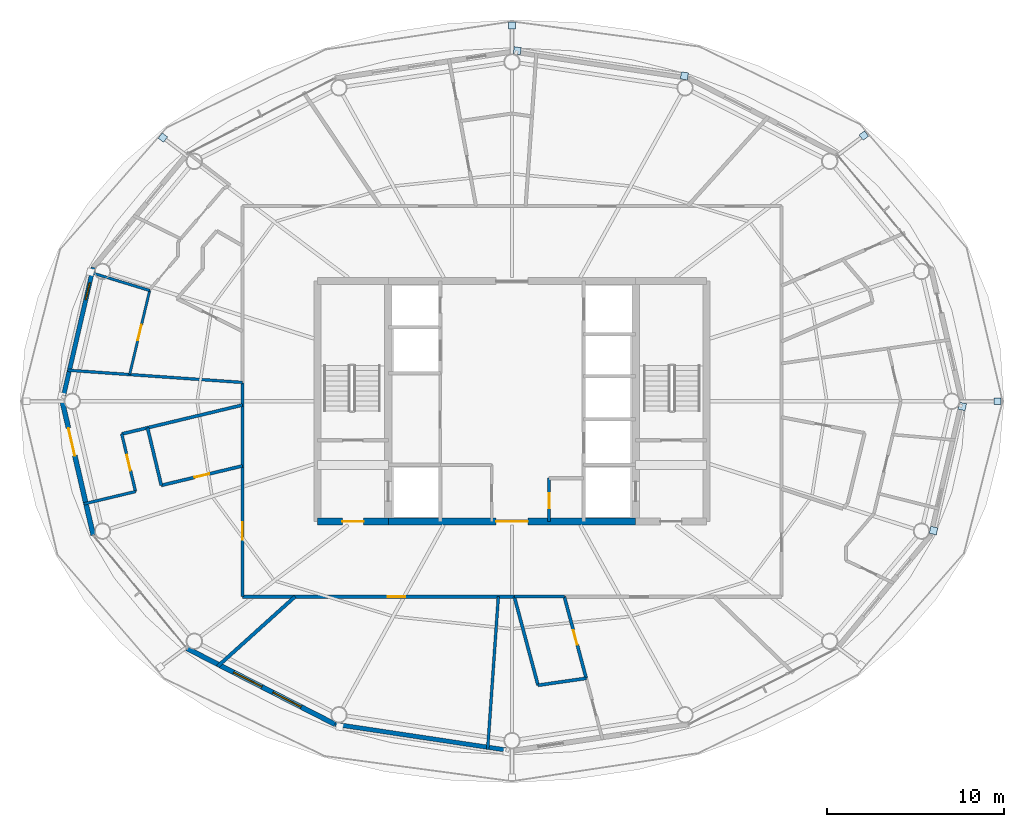
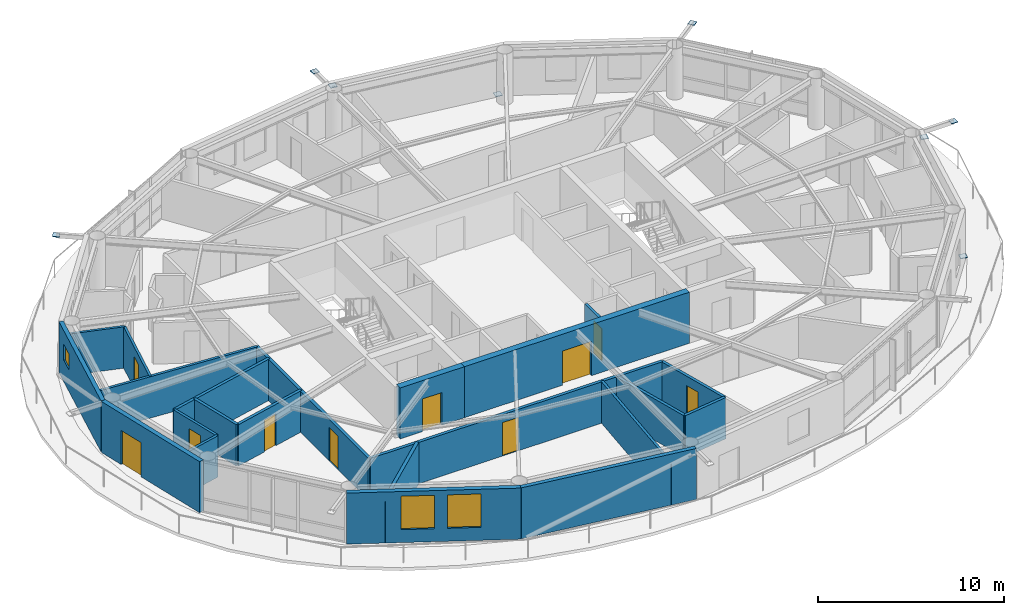
# One storey, part 15 of 22: 23 walls, 10 doors, 8 plates, 3 windows, 13 openings.
"""IFC4 building model written with IfcOpenShell, lengths in metres."""

from ifc_helpers import new_model, si_unit, direction, frame, frame_2d, origin, origin_2d, place, context, subcontext, project, spatial, rectangle, extrude, material, layer, layer_set, type_object, element, fill, save


model = new_model("IFC4")

# Units and contexts
model_context = context("Model", 3, precision=1e-05, world=origin(), true_north=direction((0.0, 1.0)))
body_context = subcontext(model_context, "Body", "Model", "MODEL_VIEW")
ifc_project = project(units=[si_unit("LENGTHUNIT", "METRE"), si_unit("AREAUNIT", "SQUARE_METRE"), si_unit("VOLUMEUNIT", "CUBIC_METRE"), si_unit("PLANEANGLEUNIT", "RADIAN"), si_unit("MASSUNIT", "GRAM", prefix="KILO")], contexts=[model_context])

# Site, building, storey
site_placement = place(None, origin())
site = spatial("IfcSite", under=ifc_project, at=site_placement, CompositionType="ELEMENT")
building_placement = place(site_placement, origin())
building = spatial("IfcBuilding", under=site, at=building_placement, Name="Sarneth Arch Tower", CompositionType="ELEMENT")
storey_placement = place(building_placement, frame((0.0, 0.0, 213.60009765625)))
storey = spatial("IfcBuildingStorey", under=building, at=storey_placement, Name="L54", CompositionType="ELEMENT", Elevation=213.60009765625)

# Plates
ifc_material_1 = material(Name="Steel S355", Category="steel")
ifc_layer_1 = layer(ifc_material_1, 0.035888671875)
ifc_layer_set_1 = layer_set([ifc_layer_1], Name="Steel S355")
plate_type = type_object("IfcPlateType", Name="PLT-GUSSET-30", PredefinedType="SHEET", material=ifc_layer_set_1)
for number, where, z_axis, x_axis, name in (
    (1, (75.466552734375, 42.0, 3.18212890625), (0.0, 0.0, 1.0), (1.0, 0.0, 0.0), "Steel end cap plate GP-1"),
    (2, (67.905517578125, 57.034423828125, 3.18212890625), (0.0, 0.0, 1.0), (0.798004853043, 0.602651022168, 0.0), "Steel end cap plate GP-1"),
):
    element("IfcPlate", number, at=place(storey_placement, frame(where, z_axis=z_axis, x_axis=x_axis)), inside=storey, type_object=plate_type, Name=name, PredefinedType="SHEET", context=body_context, shape_type="SweptSolid", body=[
        extrude(rectangle(XDim=0.3798828125, YDim=0.3798828125, at=origin_2d()), origin(), (0.0, 0.0, 1.0), 0.035888671875),
    ])
for number, where, z_axis, x_axis, name in (
    (3, (57.754150390625, 60.411376953125, 0.001953125), (0.0, 0.0, 1.0), (-0.988860535448, 0.148845024885, 0.0), "Steel end cap plate GP-1"),
    (4, (48.296630859375, 61.83544921875, 3.0185546875), (0.0, 0.0, 1.0), (-0.988860535448, 0.148845024885, 0.0), "Steel end cap plate GP-1"),
):
    element("IfcPlate", number, at=place(storey_placement, frame(where, z_axis=z_axis, x_axis=x_axis)), inside=storey, type_object=plate_type, Name=name, PredefinedType="SHEET", context=body_context, shape_type="SweptSolid", body=[
        extrude(rectangle(XDim=0.404052734375, YDim=0.404052734375, at=origin_2d()), origin(), (0.0, 0.0, 1.0), 0.035888671875),
    ])
for number, where, z_axis, x_axis, name in (
    (5, (48.0, 63.2666015625, 3.18212890625), (0.0, 0.0, 1.0), (0.0, 1.0, 0.0), "Steel end cap plate GP-1"),
    (6, (28.24462890625, 56.921142578125, 3.18212890625), (0.0, 0.0, 1.0), (-0.798004853043, 0.602651022168, 0.0), "Steel end cap plate GP-1"),
):
    element("IfcPlate", number, at=place(storey_placement, frame(where, z_axis=z_axis, x_axis=x_axis)), inside=storey, type_object=plate_type, Name=name, PredefinedType="SHEET", context=body_context, shape_type="SweptSolid", body=[
        extrude(rectangle(XDim=0.3798828125, YDim=0.3798828125, at=origin_2d()), origin(), (0.0, 0.0, 1.0), 0.035888671875),
    ])
for number, where, z_axis, x_axis, name in (
    (7, (71.851806640625, 34.6845703125, 0.001953125), (0.0, 0.0, 1.0), (0.225461202458, 0.974252147129, 0.0), "Steel end cap plate GP-1"),
    (8, (73.4765625, 41.707763671875, 3.0185546875), (0.0, 0.0, 1.0), (0.225461202458, 0.974252147129, 0.0), "Steel end cap plate GP-1"),
):
    element("IfcPlate", number, at=place(storey_placement, frame(where, z_axis=z_axis, x_axis=x_axis)), inside=storey, type_object=plate_type, Name=name, PredefinedType="SHEET", context=body_context, shape_type="SweptSolid", body=[
        extrude(rectangle(XDim=0.404052734375, YDim=0.404052734375, at=origin_2d()), origin(), (0.0, 0.0, 1.0), 0.035888671875),
    ])

# Wall, opening, door
ifc_material_2 = material(Name="Concrete C50/60", Category="concrete")
ifc_layer_2 = layer(ifc_material_2, 0.39990234375)
ifc_layer_set_2 = layer_set([ifc_layer_2], Name="Concrete C50/60")
wall_type_1 = type_object("IfcWallType", Name="WALL-CORE-400", PredefinedType="SHEAR", material=ifc_layer_set_2)
wall_1_placement = place(storey_placement, frame((37.0, 35.199951171875, 0.0), z_axis=(0.0, 0.0, 1.0), x_axis=(1.0, 0.0, 0.0)))
wall_1 = element("IfcWall", 9, at=wall_1_placement, inside=storey, type_object=wall_type_1, Name="L54 Core shear wall S-W", PredefinedType="SHEAR", context=body_context, shape_type="SweptSolid", body=[
    extrude(rectangle(XDim=4.0, YDim=0.39990234375, at=frame_2d((2.0, 0.0))), origin(), (0.0, 0.0, 1.0), 3.35986328125),
])
opening_1_placement = place(wall_1_placement, frame((1.39990234375, 0.0, 0.0)))
opening_1 = element("IfcOpeningElement", 10, at=opening_1_placement, cuts=wall_1, Name="Opening FD-02", PredefinedType="OPENING", context=body_context, shape_type="SweptSolid", body=[
    extrude(rectangle(XDim=1.199951171875, YDim=2.14990234375, at=frame_2d((0.60009765625, 1.074951171875))), frame((0.0, 0.2099609375, 0.0), z_axis=(0.0, -1.0, 0.0), x_axis=(1.0, 0.0, 0.0)), (0.0, 0.0, 1.0), 0.419921875),
])
ifc_material_3 = material(Name="Galvanised Steel S275 fire door set", Category="steel")
door_type_1 = type_object("IfcDoorType", Name="DR-FD90-1200", OperationType="SINGLE_SWING_LEFT", PredefinedType="DOOR", material=ifc_material_3)
door_1_placement = place(opening_1_placement, origin())
door_1 = element("IfcDoor", 11, at=door_1_placement, inside=storey, type_object=door_type_1, Name="L54 Firefighting lobby 1 exit door", OperationType="SINGLE_SWING_LEFT", OverallHeight=2.14990234375, OverallWidth=1.199951171875, PredefinedType="DOOR", context=body_context, shape_type="SweptSolid", body=[
    extrude(rectangle(XDim=1.199951171875, YDim=2.14990234375, at=frame_2d((0.60009765625, 1.074951171875))), frame((0.0, 0.02490234375, 0.0), z_axis=(0.0, -1.0, 0.0), x_axis=(1.0, 0.0, 0.0)), (0.0, 0.0, 1.0), 0.050048828125),
])
fill(opening_1, door_1)

wall_2_placement = place(storey_placement, frame((41.0, 35.199951171875, 0.0), z_axis=(0.0, 0.0, 1.0), x_axis=(1.0, 0.0, 0.0)))
wall_2 = element("IfcWall", 12, at=wall_2_placement, inside=storey, type_object=wall_type_1, Name="L54 Core shear wall S-M", PredefinedType="SHEAR", context=body_context, shape_type="SweptSolid", body=[
    extrude(rectangle(XDim=14.0, YDim=0.39990234375, at=frame_2d((7.0, 0.0))), origin(), (0.0, 0.0, 1.0), 3.35986328125),
])
opening_2_placement = place(wall_2_placement, frame((6.10009765625, 0.0, 0.0)))
opening_2 = element("IfcOpeningElement", 13, at=opening_2_placement, cuts=wall_2, Name="Opening FD-01", PredefinedType="OPENING", context=body_context, shape_type="SweptSolid", body=[
    extrude(rectangle(XDim=1.800048828125, YDim=2.25, at=frame_2d((0.89990234375, 1.125))), frame((0.0, 0.2099609375, 0.0), z_axis=(0.0, -1.0, 0.0), x_axis=(1.0, 0.0, 0.0)), (0.0, 0.0, 1.0), 0.419921875),
])
ifc_material_4 = material(Name="Galvanised Steel S275 fire door set", Category="steel")
door_type_2 = type_object("IfcDoorType", Name="DR-FD90-1800", OperationType="DOUBLE_DOOR_SINGLE_SWING", PredefinedType="DOOR", material=ifc_material_4)
door_2_placement = place(opening_2_placement, origin())
door_2 = element("IfcDoor", 14, at=door_2_placement, inside=storey, type_object=door_type_2, Name="L54 Central lift lobby south door", OperationType="DOUBLE_DOOR_SINGLE_SWING", OverallHeight=2.25, OverallWidth=1.800048828125, PredefinedType="DOOR", context=body_context, shape_type="SweptSolid", body=[
    extrude(rectangle(XDim=1.800048828125, YDim=2.25, at=frame_2d((0.89990234375, 1.125))), frame((0.0, 0.02490234375, 0.0), z_axis=(0.0, -1.0, 0.0), x_axis=(1.0, 0.0, 0.0)), (0.0, 0.0, 1.0), 0.050048828125),
])
fill(opening_2, door_2)

ifc_material_5 = material(Name="Double steel-stud corridor fire wall", Category="steel")
ifc_layer_3 = layer(ifc_material_5, 0.18994140625)
ifc_layer_set_3 = layer_set([ifc_layer_3], Name="Double steel-stud corridor fire wall")
wall_type_2 = type_object("IfcWallType", Name="WALL-CORR-190", PredefinedType="PARTITIONING", material=ifc_layer_set_3)
wall_3_placement = place(storey_placement, frame((48.162353515625, 30.949951171875, 0.0), z_axis=(0.0, 0.0, 1.0), x_axis=(-1.0, 0.0, 0.0)))
wall_3 = element("IfcWall", 15, at=wall_3_placement, inside=storey, type_object=wall_type_2, Name="L54 Interior partition W-L54-TP-016", PredefinedType="PARTITIONING", context=body_context, shape_type="SweptSolid", body=[
    extrude(rectangle(XDim=15.412353515625, YDim=0.18994140625, at=frame_2d((7.7060546875, 0.0))), origin(), (0.0, 0.0, 1.0), 2.719970703125),
])
opening_3_placement = place(wall_3_placement, frame((6.192626953125, 0.0, 0.0)))
opening_3 = element("IfcOpeningElement", 16, at=opening_3_placement, cuts=wall_3, Name="Opening FD-08", PredefinedType="OPENING", context=body_context, shape_type="SweptSolid", body=[
    extrude(rectangle(XDim=1.0, YDim=2.199951171875, at=frame_2d((0.5, 1.10009765625))), frame((0.0, 0.10498046875, 0.0), z_axis=(0.0, -1.0, 0.0), x_axis=(1.0, 0.0, 0.0)), (0.0, 0.0, 1.0), 0.2099609375),
])
ifc_material_6 = material(Name="Hardwood timber acoustic fire door", Category="wood")
door_type_3 = type_object("IfcDoorType", Name="DR-FD60-1000", OperationType="SINGLE_SWING_LEFT", PredefinedType="DOOR", material=ifc_material_6)
door_3_placement = place(opening_3_placement, origin())
door_3 = element("IfcDoor", 17, at=door_3_placement, inside=storey, type_object=door_type_3, Name="L54 Interior door DR-L54-RAMN-06", OperationType="SINGLE_SWING_RIGHT", OverallHeight=2.199951171875, OverallWidth=1.0, PredefinedType="DOOR", context=body_context, shape_type="SweptSolid", body=[
    extrude(rectangle(XDim=1.0, YDim=2.199951171875, at=frame_2d((0.5, 1.10009765625))), frame((0.0, 0.02490234375, 0.0), z_axis=(0.0, -1.0, 0.0), x_axis=(1.0, 0.0, 0.0)), (0.0, 0.0, 1.0), 0.050048828125),
])
fill(opening_3, door_3)

wall_4_placement = place(storey_placement, frame((32.75, 30.949951171875, 0.0), z_axis=(0.0, 0.0, 1.0), x_axis=(0.0, 1.0, 0.0)))
wall_4 = element("IfcWall", 18, at=wall_4_placement, inside=storey, type_object=wall_type_2, Name="L54 Interior partition W-L54-TP-013", PredefinedType="PARTITIONING", context=body_context, shape_type="SweptSolid", body=[
    extrude(rectangle(XDim=12.1484375, YDim=0.18994140625, at=frame_2d((6.07421875, 0.0))), origin(), (0.0, 0.0, 1.0), 2.719970703125),
])
opening_4_placement = place(wall_4_placement, frame((3.213623046875, 0.0, 0.0)))
opening_4 = element("IfcOpeningElement", 19, at=opening_4_placement, cuts=wall_4, Name="Opening FD-08", PredefinedType="OPENING", context=body_context, shape_type="SweptSolid", body=[
    extrude(rectangle(XDim=1.0, YDim=2.199951171875, at=frame_2d((0.5, 1.10009765625))), frame((0.0, 0.10498046875, 0.0), z_axis=(0.0, -1.0, 0.0), x_axis=(1.0, 0.0, 0.0)), (0.0, 0.0, 1.0), 0.2099609375),
])
door_4_placement = place(opening_4_placement, origin())
door_4 = element("IfcDoor", 20, at=door_4_placement, inside=storey, type_object=door_type_3, Name="L54 Interior door DR-L54-U5-ENT", OperationType="SINGLE_SWING_RIGHT", OverallHeight=2.199951171875, OverallWidth=1.0, PredefinedType="DOOR", context=body_context, shape_type="SweptSolid", body=[
    extrude(rectangle(XDim=1.0, YDim=2.199951171875, at=frame_2d((0.5, 1.10009765625))), frame((0.0, 0.02490234375, 0.0), z_axis=(0.0, -1.0, 0.0), x_axis=(1.0, 0.0, 0.0)), (0.0, 0.0, 1.0), 0.050048828125),
])
fill(opening_4, door_4)

# Wall, opening, window
ifc_material_7 = material(Name="Extruded terracotta rainscreen on Concrete C40/50 backing", Category="masonry")
ifc_layer_4 = layer(ifc_material_7, 0.25)
ifc_layer_set_4 = layer_set([ifc_layer_4], Name="Extruded terracotta rainscreen on Concrete C40/50 backing")
wall_type_3 = type_object("IfcWallType", Name="WALL-EXT-SPAND-250", PredefinedType="SOLIDWALL", material=ifc_layer_set_4)
wall_5_placement = place(storey_placement, frame((24.30615234375, 49.569580078125, 0.0), z_axis=(0.0, 0.0, 1.0), x_axis=(-0.225635078214, -0.974211892495, 0.0)))
wall_5 = element("IfcWall", 21, at=wall_5_placement, inside=storey, type_object=wall_type_3, Name="L54 Terracotta perimeter wall 08", PredefinedType="SOLIDWALL", context=body_context, shape_type="SweptSolid", body=[
    extrude(rectangle(XDim=7.77001953125, YDim=0.25, at=frame_2d((3.885009765625, 0.0))), origin(), (0.0, 0.0, 1.0), 3.35986328125),
])
opening_5_placement = place(wall_5_placement, frame((0.877685546875, 0.0, 1.419921875)))
opening_5 = element("IfcOpeningElement", 22, at=opening_5_placement, cuts=wall_5, Name="Opening W-14", PredefinedType="OPENING", context=body_context, shape_type="SweptSolid", body=[
    extrude(rectangle(XDim=1.0, YDim=1.050048828125, at=frame_2d((0.5, 0.52490234375))), frame((0.0, 0.135009765625, 0.0), z_axis=(0.0, -1.0, 0.0), x_axis=(1.0, 0.0, 0.0)), (0.0, 0.0, 1.0), 0.27001953125),
])
ifc_material_8 = material(Name="Thermally broken Aluminium 6063-T6 and low-e laminated IGU", Category="aluminium")
window_type_1 = type_object("IfcWindowType", Name="WIN-TWR-1000x1050", PartitioningType="SINGLE_PANEL", PredefinedType="WINDOW", material=ifc_material_8)
window_1_placement = place(opening_5_placement, origin())
window_1 = element("IfcWindow", 23, at=window_1_placement, inside=storey, type_object=window_type_1, Name="L54 Dwelling bedroom window 01", OverallHeight=1.050048828125, OverallWidth=1.0, PartitioningType="SINGLE_PANEL", PredefinedType="WINDOW", context=body_context, shape_type="SweptSolid", body=[
    extrude(rectangle(XDim=1.0, YDim=1.050048828125, at=frame_2d((0.5, 0.52490234375))), frame((0.0, 0.030029296875, 0.0), z_axis=(0.0, -1.0, 0.0), x_axis=(1.0, 0.0, 0.0)), (0.0, 0.0, 1.0), 0.06005859375),
])
fill(opening_5, window_1)

# Wall
wall_6_placement = place(storey_placement, frame((37.9873046875, 23.7255859375, 0.0), z_axis=(0.0, 0.0, 1.0), x_axis=(0.988882522213, -0.148698881169, 0.0)))
element("IfcWall", 24, at=wall_6_placement, inside=storey, type_object=wall_type_3, Name="L54 Terracotta perimeter wall 12", PredefinedType="SOLIDWALL", context=body_context, shape_type="SweptSolid", body=[
    extrude(rectangle(XDim=10.125244140625, YDim=0.25, at=frame_2d((5.0625, 0.0))), origin(), (0.0, 0.0, 1.0), 3.35986328125),
])

# Wall, opening, door
ifc_material_9 = material(Name="Extruded terracotta rainscreen on Concrete C40/50 backing", Category="masonry")
ifc_layer_5 = layer(ifc_material_9, 0.280029296875)
ifc_layer_set_5 = layer_set([ifc_layer_5], Name="Extruded terracotta rainscreen on Concrete C40/50 backing")
wall_type_4 = type_object("IfcWallType", Name="WALL-EXT-TERRA-280", PredefinedType="SOLIDWALL", material=ifc_layer_set_5)
wall_7_placement = place(storey_placement, frame((22.552978515625, 42.0, 0.0), z_axis=(0.0, 0.0, 1.0), x_axis=(0.225635078214, -0.974211892495, 0.0)))
wall_7 = element("IfcWall", 25, at=wall_7_placement, inside=storey, type_object=wall_type_4, Name="L54 Terracotta perimeter wall 09", PredefinedType="SOLIDWALL", context=body_context, shape_type="SweptSolid", body=[
    extrude(rectangle(XDim=7.77001953125, YDim=0.280029296875, at=frame_2d((3.885009765625, 0.0))), origin(), (0.0, 0.0, 1.0), 3.35986328125),
])
opening_6_placement = place(wall_7_placement, frame((1.55712890625, 0.0, 0.0)))
opening_6 = element("IfcOpeningElement", 26, at=opening_6_placement, cuts=wall_7, Name="Opening BD-1", PredefinedType="OPENING", context=body_context, shape_type="SweptSolid", body=[
    extrude(rectangle(XDim=1.60009765625, YDim=2.25, at=frame_2d((0.800048828125, 1.125))), frame((0.0, 0.14990234375, 0.0), z_axis=(0.0, -1.0, 0.0), x_axis=(1.0, 0.0, 0.0)), (0.0, 0.0, 1.0), 0.300048828125),
])
ifc_material_10 = material(Name="Thermally broken Aluminium 6063-T6 and laminated safety glass", Category="aluminium")
door_type_4 = type_object("IfcDoorType", Name="DR-BALC-GLZ-1600", OperationType="DOUBLE_DOOR_SINGLE_SWING", PredefinedType="DOOR", material=ifc_material_10)
door_5_placement = place(opening_6_placement, origin())
door_5 = element("IfcDoor", 27, at=door_5_placement, inside=storey, type_object=door_type_4, Name="L54 Balcony glazed door 09", OperationType="DOUBLE_DOOR_SINGLE_SWING", OverallHeight=2.25, OverallWidth=1.60009765625, PredefinedType="DOOR", context=body_context, shape_type="SweptSolid", body=[
    extrude(rectangle(XDim=1.60009765625, YDim=2.25, at=frame_2d((0.800048828125, 1.125))), frame((0.0, 0.02490234375, 0.0), z_axis=(0.0, -1.0, 0.0), x_axis=(1.0, 0.0, 0.0)), (0.0, 0.0, 1.0), 0.050048828125),
])
fill(opening_6, door_5)

# Wall, openings, windows
wall_8_placement = place(storey_placement, frame((29.617431640625, 28.013427734375, 0.0), z_axis=(0.0, 0.0, 1.0), x_axis=(0.890007394051, -0.455946091699, 0.0)))
wall_8 = element("IfcWall", 28, at=wall_8_placement, inside=storey, type_object=wall_type_4, Name="L54 Terracotta perimeter wall 11", PredefinedType="SOLIDWALL", context=body_context, shape_type="SweptSolid", body=[
    extrude(rectangle(XDim=9.404296875, YDim=0.280029296875, at=frame_2d((4.7021484375, 0.0))), origin(), (0.0, 0.0, 1.0), 3.35986328125),
])
opening_7_placement = place(wall_8_placement, frame((2.95068359375, 0.0, 0.85009765625)))
opening_7 = element("IfcOpeningElement", 29, at=opening_7_placement, cuts=wall_8, Name="Opening W-04", PredefinedType="OPENING", context=body_context, shape_type="SweptSolid", body=[
    extrude(rectangle(XDim=1.800048828125, YDim=2.199951171875, at=frame_2d((0.89990234375, 1.10009765625))), frame((0.0, 0.14990234375, 0.0), z_axis=(0.0, -1.0, 0.0), x_axis=(1.0, 0.0, 0.0)), (0.0, 0.0, 1.0), 0.300048828125),
])
opening_8_placement = place(wall_8_placement, frame((5.4541015625, 0.0, 0.85009765625)))
opening_8 = element("IfcOpeningElement", 30, at=opening_8_placement, cuts=wall_8, Name="Opening W-04", PredefinedType="OPENING", context=body_context, shape_type="SweptSolid", body=[
    extrude(rectangle(XDim=1.800048828125, YDim=2.199951171875, at=frame_2d((0.89990234375, 1.10009765625))), frame((0.0, 0.14990234375, 0.0), z_axis=(0.0, -1.0, 0.0), x_axis=(1.0, 0.0, 0.0)), (0.0, 0.0, 1.0), 0.300048828125),
])
ifc_material_11 = material(Name="Thermally broken Aluminium 6063-T6 and low-e laminated IGU", Category="aluminium")
window_type_2 = type_object("IfcWindowType", Name="WIN-TWR-1800x2200", PartitioningType="DOUBLE_PANEL_VERTICAL", PredefinedType="WINDOW", material=ifc_material_11)
window_2_placement = place(opening_7_placement, origin())
window_2 = element("IfcWindow", 31, at=window_2_placement, inside=storey, type_object=window_type_2, Name="L54 Exterior window 11A", OverallHeight=2.199951171875, OverallWidth=1.800048828125, PartitioningType="SINGLE_PANEL", PredefinedType="WINDOW", context=body_context, shape_type="SweptSolid", body=[
    extrude(rectangle(XDim=1.800048828125, YDim=2.199951171875, at=frame_2d((0.89990234375, 1.10009765625))), frame((0.0, 0.030029296875, 0.0), z_axis=(0.0, -1.0, 0.0), x_axis=(1.0, 0.0, 0.0)), (0.0, 0.0, 1.0), 0.06005859375),
])
fill(opening_7, window_2)
window_3_placement = place(opening_8_placement, origin())
window_3 = element("IfcWindow", 32, at=window_3_placement, inside=storey, type_object=window_type_2, Name="L54 Exterior window 11B", OverallHeight=2.199951171875, OverallWidth=1.800048828125, PartitioningType="SINGLE_PANEL", PredefinedType="WINDOW", context=body_context, shape_type="SweptSolid", body=[
    extrude(rectangle(XDim=1.800048828125, YDim=2.199951171875, at=frame_2d((0.89990234375, 1.10009765625))), frame((0.0, 0.030029296875, 0.0), z_axis=(0.0, -1.0, 0.0), x_axis=(1.0, 0.0, 0.0)), (0.0, 0.0, 1.0), 0.06005859375),
])
fill(opening_8, window_3)

# Wall, opening, door
ifc_material_12 = material(Name="Apartment internal stud partition", Category="gypsum")
ifc_layer_6 = layer(ifc_material_12, 0.139892578125)
ifc_layer_set_6 = layer_set([ifc_layer_6], Name="Apartment internal stud partition")
wall_type_5 = type_object("IfcWallType", Name="WALL-PART-140", PredefinedType="PARTITIONING", material=ifc_layer_set_6)
wall_9_placement = place(storey_placement, frame((27.50048828125, 48.267333984375, 0.0), z_axis=(0.0, 0.0, 1.0), x_axis=(-0.232297954947, -0.972644673109, 0.0)))
wall_9 = element("IfcWall", 33, at=wall_9_placement, inside=storey, type_object=wall_type_5, Name="L54 Interior partition W-L54-TP-050", PredefinedType="PARTITIONING", context=body_context, shape_type="SweptSolid", body=[
    extrude(rectangle(XDim=4.88818359375, YDim=0.139892578125, at=frame_2d((2.444091796875, 0.0))), origin(), (0.0, 0.0, 1.0), 2.719970703125),
])
opening_9_placement = place(wall_9_placement, frame((1.994140625, 0.0, 0.0)))
opening_9 = element("IfcOpeningElement", 34, at=opening_9_placement, cuts=wall_9, Name="Opening ID-01", PredefinedType="OPENING", context=body_context, shape_type="SweptSolid", body=[
    extrude(rectangle(XDim=0.89990234375, YDim=2.10009765625, at=frame_2d((0.449951171875, 1.050048828125))), frame((0.0, 0.079833984375, 0.0), z_axis=(0.0, -1.0, 0.0), x_axis=(1.0, 0.0, 0.0)), (0.0, 0.0, 1.0), 0.159912109375),
])
ifc_material_13 = material(Name="Engineered hardwood flush door", Category="wood")
door_type_5 = type_object("IfcDoorType", Name="DR-INT-900", OperationType="SINGLE_SWING_LEFT", PredefinedType="DOOR", material=ifc_material_13)
door_6_placement = place(opening_9_placement, origin())
door_6 = element("IfcDoor", 35, at=door_6_placement, inside=storey, type_object=door_type_5, Name="L54 Interior door DR-L54-U4-BED2", OperationType="SINGLE_SWING_RIGHT", OverallHeight=2.10009765625, OverallWidth=0.89990234375, PredefinedType="DOOR", context=body_context, shape_type="SweptSolid", body=[
    extrude(rectangle(XDim=0.89990234375, YDim=2.10009765625, at=frame_2d((0.449951171875, 1.050048828125))), frame((0.0, 0.02490234375, 0.0), z_axis=(0.0, -1.0, 0.0), x_axis=(1.0, 0.0, 0.0)), (0.0, 0.0, 1.0), 0.050048828125),
])
fill(opening_9, door_6)

# Walls
ifc_material_14 = material(Name="Acoustic gypsum stud partition", Category="gypsum")
ifc_layer_7 = layer(ifc_material_14, 0.14990234375)
ifc_layer_set_7 = layer_set([ifc_layer_7], Name="Acoustic gypsum stud partition")
wall_type_6 = type_object("IfcWallType", Name="WALL-PART-150", PredefinedType="PARTITIONING", material=ifc_layer_set_7)
wall_10_placement = place(storey_placement, frame((27.50048828125, 48.267333984375, 0.0), z_axis=(0.0, 0.0, 1.0), x_axis=(-0.956303289689, 0.292376500647, 0.0)))
element("IfcWall", 36, at=wall_10_placement, inside=storey, type_object=wall_type_6, Name="L54 Interior partition W-L54-TP-053", PredefinedType="PARTITIONING", context=body_context, shape_type="SweptSolid", body=[
    extrude(rectangle(XDim=3.53369140625, YDim=0.14990234375, at=frame_2d((1.766845703125, 0.0))), origin(), (0.0, 0.0, 1.0), 2.719970703125),
])
ifc_material_15 = material(Name="Kitchen wet service chase wall", Category="gypsum")
ifc_layer_8 = layer(ifc_material_15, 0.159912109375)
ifc_layer_set_8 = layer_set([ifc_layer_8], Name="Kitchen wet service chase wall")
wall_type_7 = type_object("IfcWallType", Name="WALL-PLUMB-160", PredefinedType="PLUMBINGWALL", material=ifc_layer_set_8)
wall_11_placement = place(storey_placement, frame((47.227294921875, 30.949951171875, 0.0), z_axis=(0.0, 0.0, 1.0), x_axis=(-0.069763237321, -0.997563577281, 0.0)))
element("IfcWall", 37, at=wall_11_placement, inside=storey, type_object=wall_type_7, Name="L54 Interior partition W-L54-TP-062", PredefinedType="PLUMBINGWALL", context=body_context, shape_type="SweptSolid", body=[
    extrude(rectangle(XDim=8.664794921875, YDim=0.159912109375, at=frame_2d((4.33251953125, 0.0))), origin(), (0.0, 0.0, 1.0), 2.719970703125),
])
wall_12_placement = place(storey_placement, frame((22.8388671875, 43.759521484375, 0.0), z_axis=(0.0, 0.0, 1.0), x_axis=(0.997563620801, -0.069762615023, 0.0)))
element("IfcWall", 38, at=wall_12_placement, inside=storey, type_object=wall_type_7, Name="L54 Interior partition W-L54-TP-051", PredefinedType="PLUMBINGWALL", context=body_context, shape_type="SweptSolid", body=[
    extrude(rectangle(XDim=9.935302734375, YDim=0.159912109375, at=frame_2d((4.9677734375, 0.0))), origin(), (0.0, 0.0, 1.0), 2.719970703125),
])

# Wall, opening, door
wall_13_placement = place(storey_placement, frame((25.919921875, 40.15185546875, 0.0), z_axis=(0.0, 0.0, 1.0), x_axis=(0.233075240748, -0.972458704599, 0.0)))
wall_13 = element("IfcWall", 39, at=wall_13_placement, inside=storey, type_object=wall_type_7, Name="L54 Interior partition W-L54-TP-058", PredefinedType="PLUMBINGWALL", context=body_context, shape_type="SweptSolid", body=[
    extrude(rectangle(XDim=3.349853515625, YDim=0.159912109375, at=frame_2d((1.6748046875, 0.0))), origin(), (0.0, 0.0, 1.0), 2.719970703125),
])
opening_10_placement = place(wall_13_placement, frame((1.224853515625, 0.0, 0.0)))
opening_10 = element("IfcOpeningElement", 40, at=opening_10_placement, cuts=wall_13, Name="Opening ID-01", PredefinedType="OPENING", context=body_context, shape_type="SweptSolid", body=[
    extrude(rectangle(XDim=0.89990234375, YDim=2.10009765625, at=frame_2d((0.449951171875, 1.050048828125))), frame((0.0, 0.08984375, 0.0), z_axis=(0.0, -1.0, 0.0), x_axis=(1.0, 0.0, 0.0)), (0.0, 0.0, 1.0), 0.179931640625),
])
door_7_placement = place(opening_10_placement, origin())
door_7 = element("IfcDoor", 41, at=door_7_placement, inside=storey, type_object=door_type_5, Name="L54 Interior door DR-L54-U5-KIT", OperationType="SINGLE_SWING_LEFT", OverallHeight=2.10009765625, OverallWidth=0.89990234375, PredefinedType="DOOR", context=body_context, shape_type="SweptSolid", body=[
    extrude(rectangle(XDim=0.89990234375, YDim=2.10009765625, at=frame_2d((0.449951171875, 1.050048828125))), frame((0.0, 0.02490234375, 0.0), z_axis=(0.0, -1.0, 0.0), x_axis=(1.0, 0.0, 0.0)), (0.0, 0.0, 1.0), 0.050048828125),
])
fill(opening_10, door_7)

# Wall
wall_14_placement = place(storey_placement, frame((26.70068359375, 36.894287109375, 0.0), z_axis=(0.0, 0.0, 1.0), x_axis=(-0.972463854185, -0.233053754107, 0.0)))
element("IfcWall", 42, at=wall_14_placement, inside=storey, type_object=wall_type_7, Name="L54 Interior partition W-L54-TP-059", PredefinedType="PLUMBINGWALL", context=body_context, shape_type="SweptSolid", body=[
    extrude(rectangle(XDim=3.008544921875, YDim=0.159912109375, at=frame_2d((1.50439453125, 0.0))), origin(), (0.0, 0.0, 1.0), 2.719970703125),
])

# Wall, opening, door
ifc_material_16 = material(Name="Moisture-resistant plumbing chase wall", Category="gypsum")
ifc_layer_9 = layer(ifc_material_16, 0.179931640625)
ifc_layer_set_9 = layer_set([ifc_layer_9], Name="Moisture-resistant plumbing chase wall")
wall_type_8 = type_object("IfcWallType", Name="WALL-PLUMB-180", PredefinedType="PLUMBINGWALL", material=ifc_layer_set_9)
wall_15_placement = place(storey_placement, frame((50.10009765625, 35.199951171875, 0.0), z_axis=(0.0, 0.0, 1.0), x_axis=(0.0, 1.0, 0.0)))
wall_15 = element("IfcWall", 43, at=wall_15_placement, inside=storey, type_object=wall_type_8, Name="L54 Interior partition W-L54-AWC-W", PredefinedType="PLUMBINGWALL", context=body_context, shape_type="SweptSolid", body=[
    extrude(rectangle(XDim=2.449951171875, YDim=0.179931640625, at=frame_2d((1.22509765625, 0.0))), origin(), (0.0, 0.0, 1.0), 2.719970703125),
])
opening_11_placement = place(wall_15_placement, frame((0.75, 0.0, 0.0)))
opening_11 = element("IfcOpeningElement", 44, at=opening_11_placement, cuts=wall_15, Name="Opening ID-02", PredefinedType="OPENING", context=body_context, shape_type="SweptSolid", body=[
    extrude(rectangle(XDim=0.85009765625, YDim=2.10009765625, at=frame_2d((0.425048828125, 1.050048828125))), frame((0.0, 0.099853515625, 0.0), z_axis=(0.0, -1.0, 0.0), x_axis=(1.0, 0.0, 0.0)), (0.0, 0.0, 1.0), 0.199951171875),
])
ifc_material_17 = material(Name="Moisture-resistant bathroom timber door", Category="wood")
door_type_6 = type_object("IfcDoorType", Name="DR-INT-850", OperationType="SINGLE_SWING_RIGHT", PredefinedType="DOOR", material=ifc_material_17)
door_8_placement = place(opening_11_placement, origin())
door_8 = element("IfcDoor", 45, at=door_8_placement, inside=storey, type_object=door_type_6, Name="L54 Interior door DR-L54-AWC", OperationType="SINGLE_SWING_RIGHT", OverallHeight=2.10009765625, OverallWidth=0.85009765625, PredefinedType="DOOR", context=body_context, shape_type="SweptSolid", body=[
    extrude(rectangle(XDim=0.85009765625, YDim=2.10009765625, at=frame_2d((0.425048828125, 1.050048828125))), frame((0.0, 0.02490234375, 0.0), z_axis=(0.0, -1.0, 0.0), x_axis=(1.0, 0.0, 0.0)), (0.0, 0.0, 1.0), 0.050048828125),
])
fill(opening_11, door_8)

# Walls
wall_16_placement = place(storey_placement, frame((32.75, 41.7890625, 0.0), z_axis=(0.0, 0.0, 1.0), x_axis=(-0.97245226222, -0.233102118618, 0.0)))
element("IfcWall", 46, at=wall_16_placement, inside=storey, type_object=wall_type_8, Name="L54 Interior partition W-L54-TP-061", PredefinedType="PLUMBINGWALL", context=body_context, shape_type="SweptSolid", body=[
    extrude(rectangle(XDim=7.023681640625, YDim=0.179931640625, at=frame_2d((3.51171875, 0.0))), origin(), (0.0, 0.0, 1.0), 2.719970703125),
])
wall_17_placement = place(storey_placement, frame((49.473388671875, 25.933349609375, 0.0), z_axis=(0.0, 0.0, 1.0), x_axis=(-0.258826939486, 0.965923710961, 0.0)))
element("IfcWall", 47, at=wall_17_placement, inside=storey, type_object=wall_type_8, Name="L54 Interior partition W-L54-TP-067", PredefinedType="PLUMBINGWALL", context=body_context, shape_type="SweptSolid", body=[
    extrude(rectangle(XDim=5.193603515625, YDim=0.179931640625, at=frame_2d((2.5966796875, 0.0))), origin(), (0.0, 0.0, 1.0), 2.719970703125),
])

# Wall, opening, door
wall_18_placement = place(storey_placement, frame((50.960693359375, 30.949951171875, 0.0), z_axis=(0.0, 0.0, 1.0), x_axis=(0.258827893949, -0.965923455204, 0.0)))
wall_18 = element("IfcWall", 48, at=wall_18_placement, inside=storey, type_object=wall_type_8, Name="L54 Interior partition W-L54-TP-063", PredefinedType="PLUMBINGWALL", context=body_context, shape_type="SweptSolid", body=[
    extrude(rectangle(XDim=4.78515625, YDim=0.179931640625, at=frame_2d((2.392578125, 0.0))), origin(), (0.0, 0.0, 1.0), 2.719970703125),
])
opening_12_placement = place(wall_18_placement, frame((1.967529296875, 0.0, 0.0)))
opening_12 = element("IfcOpeningElement", 49, at=opening_12_placement, cuts=wall_18, Name="Opening ID-02", PredefinedType="OPENING", context=body_context, shape_type="SweptSolid", body=[
    extrude(rectangle(XDim=0.85009765625, YDim=2.10009765625, at=frame_2d((0.425048828125, 1.050048828125))), frame((0.0, 0.099853515625, 0.0), z_axis=(0.0, -1.0, 0.0), x_axis=(1.0, 0.0, 0.0)), (0.0, 0.0, 1.0), 0.199951171875),
])
door_9_placement = place(opening_12_placement, origin())
door_9 = element("IfcDoor", 50, at=door_9_placement, inside=storey, type_object=door_type_6, Name="L54 Interior door DR-L54-U7-BATH", OperationType="SINGLE_SWING_LEFT", OverallHeight=2.10009765625, OverallWidth=0.85009765625, PredefinedType="DOOR", context=body_context, shape_type="SweptSolid", body=[
    extrude(rectangle(XDim=0.85009765625, YDim=2.10009765625, at=frame_2d((0.425048828125, 1.050048828125))), frame((0.0, 0.02490234375, 0.0), z_axis=(0.0, -1.0, 0.0), x_axis=(1.0, 0.0, 0.0)), (0.0, 0.0, 1.0), 0.050048828125),
])
fill(opening_12, door_9)

wall_19_placement = place(storey_placement, frame((28.159423828125, 37.243896484375, 0.0), z_axis=(0.0, 0.0, 1.0), x_axis=(0.972442669344, 0.233142134415, 0.0)))
wall_19 = element("IfcWall", 51, at=wall_19_placement, inside=storey, type_object=wall_type_8, Name="L54 Interior partition W-L54-TP-056", PredefinedType="PLUMBINGWALL", context=body_context, shape_type="SweptSolid", body=[
    extrude(rectangle(XDim=4.720703125, YDim=0.179931640625, at=frame_2d((2.3603515625, 0.0))), origin(), (0.0, 0.0, 1.0), 2.719970703125),
])
opening_13_placement = place(wall_19_placement, frame((1.935302734375, 0.0, 0.0)))
opening_13 = element("IfcOpeningElement", 52, at=opening_13_placement, cuts=wall_19, Name="Opening ID-02", PredefinedType="OPENING", context=body_context, shape_type="SweptSolid", body=[
    extrude(rectangle(XDim=0.85009765625, YDim=2.10009765625, at=frame_2d((0.425048828125, 1.050048828125))), frame((0.0, 0.099853515625, 0.0), z_axis=(0.0, -1.0, 0.0), x_axis=(1.0, 0.0, 0.0)), (0.0, 0.0, 1.0), 0.199951171875),
])
door_10_placement = place(opening_13_placement, origin())
door_10 = element("IfcDoor", 53, at=door_10_placement, inside=storey, type_object=door_type_6, Name="L54 Interior door DR-L54-U5-BATH", OperationType="SINGLE_SWING_LEFT", OverallHeight=2.10009765625, OverallWidth=0.85009765625, PredefinedType="DOOR", context=body_context, shape_type="SweptSolid", body=[
    extrude(rectangle(XDim=0.85009765625, YDim=2.10009765625, at=frame_2d((0.425048828125, 1.050048828125))), frame((0.0, 0.02490234375, 0.0), z_axis=(0.0, -1.0, 0.0), x_axis=(1.0, 0.0, 0.0)), (0.0, 0.0, 1.0), 0.050048828125),
])
fill(opening_13, door_10)

# Walls
wall_20_placement = place(storey_placement, frame((27.37841796875, 40.50146484375, 0.0), z_axis=(0.0, 0.0, 1.0), x_axis=(0.233144161333, -0.97244218339, 0.0)))
element("IfcWall", 54, at=wall_20_placement, inside=storey, type_object=wall_type_8, Name="L54 Interior partition W-L54-TP-055", PredefinedType="PLUMBINGWALL", context=body_context, shape_type="SweptSolid", body=[
    extrude(rectangle(XDim=3.349853515625, YDim=0.179931640625, at=frame_2d((1.6748046875, 0.0))), origin(), (0.0, 0.0, 1.0), 2.719970703125),
])
wall_21_placement = place(storey_placement, frame((48.129150390625, 30.949951171875, 0.0), z_axis=(0.0, 0.0, 1.0), x_axis=(1.0, 0.0, 0.0)))
element("IfcWall", 55, at=wall_21_placement, inside=storey, type_object=wall_type_8, Name="L54 Interior partition W-L54-TP-018", PredefinedType="PLUMBINGWALL", context=body_context, shape_type="SweptSolid", body=[
    extrude(rectangle(XDim=2.83154296875, YDim=0.179931640625, at=frame_2d((1.415771484375, 0.0))), origin(), (0.0, 0.0, 1.0), 2.719970703125),
])
wall_22_placement = place(storey_placement, frame((52.19921875, 26.327880859375, 0.0), z_axis=(0.0, 0.0, 1.0), x_axis=(-0.989687205531, -0.143245367142, 0.0)))
element("IfcWall", 56, at=wall_22_placement, inside=storey, type_object=wall_type_8, Name="L54 Interior partition W-L54-TP-066", PredefinedType="PLUMBINGWALL", context=body_context, shape_type="SweptSolid", body=[
    extrude(rectangle(XDim=2.754150390625, YDim=0.179931640625, at=frame_2d((1.376953125, 0.0))), origin(), (0.0, 0.0, 1.0), 2.719970703125),
])
ifc_material_18 = material(Name="Double steel-stud acoustic drywall", Category="steel")
ifc_layer_10 = layer(ifc_material_18, 0.199951171875)
ifc_layer_set_10 = layer_set([ifc_layer_10], Name="Double steel-stud acoustic drywall")
wall_type_9 = type_object("IfcWallType", Name="WALL-UNIT-200", PredefinedType="PARTITIONING", material=ifc_layer_set_10)
wall_23_placement = place(storey_placement, frame((35.727783203125, 30.949951171875, 0.0), z_axis=(0.0, 0.0, 1.0), x_axis=(-0.743158305959, -0.669115634464, 0.0)))
element("IfcWall", 57, at=wall_23_placement, inside=storey, type_object=wall_type_9, Name="L54 Interior partition W-L54-TP-060", PredefinedType="PARTITIONING", context=body_context, shape_type="SweptSolid", body=[
    extrude(rectangle(XDim=5.89892578125, YDim=0.199951171875, at=frame_2d((2.949462890625, 0.0))), origin(), (0.0, 0.0, 1.0), 2.719970703125),
])

save(model, "model.ifc")
